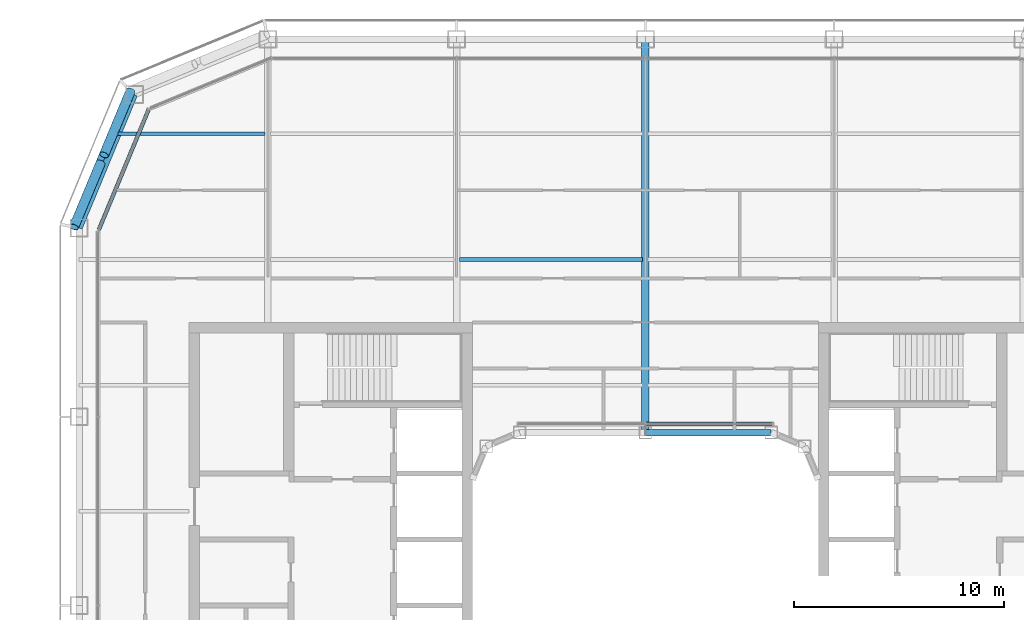
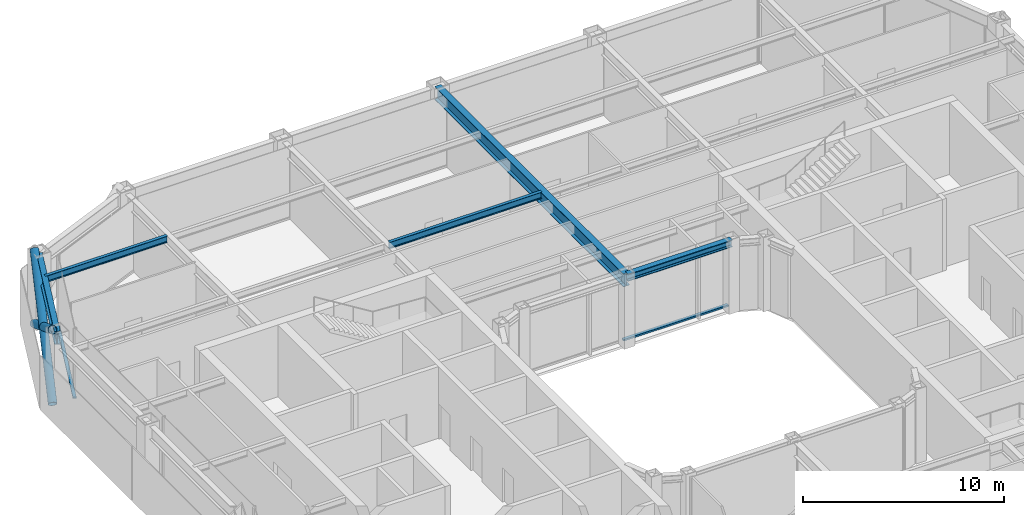
# One storey, part 7 of 23: 5 beams, 5 members, 2 elements without a shape of their own.
"""IFC4 building model written with IfcOpenShell, lengths in metres."""

from ifc_helpers import new_model, si_unit, direction, frame, origin, origin_2d, place, context, subcontext, project, spatial, rectangle, hollow_circle, i_section, extrude, material, layer, layer_set, material_profile, profile_set, type_object, element, aggregate, save


model = new_model("IFC4")

# Units and contexts
model_context = context("Model", 3, precision=1e-05, world=origin(), true_north=direction((0.0, 1.0)))
body_context = subcontext(model_context, "Body", "Model", "MODEL_VIEW")
ifc_project = project(units=[si_unit("LENGTHUNIT", "METRE"), si_unit("AREAUNIT", "SQUARE_METRE"), si_unit("VOLUMEUNIT", "CUBIC_METRE"), si_unit("PLANEANGLEUNIT", "RADIAN"), si_unit("MASSUNIT", "GRAM", prefix="KILO")], contexts=[model_context])

# Site, building, storey
site_placement = place(None, origin())
site = spatial("IfcSite", under=ifc_project, at=site_placement, CompositionType="ELEMENT")
building_placement = place(site_placement, origin())
building = spatial("IfcBuilding", under=site, at=building_placement, Name="Siwar Civic Tower", CompositionType="ELEMENT")
storey_placement = place(building_placement, frame((0.0, 0.0, 197.199951171875)))
storey = spatial("IfcBuildingStorey", under=building, at=storey_placement, Name="L42", CompositionType="ELEMENT", Elevation=197.199951171875)

# Curtain wall, member
ifc_material_1 = material(Name="Aluminium clad insulated panel", Category="aluminium")
ifc_layer_1 = layer(ifc_material_1, 0.179931640625)
ifc_layer_set_1 = layer_set([ifc_layer_1], Name="Aluminium clad insulated panel")
curtain_wall_type_1 = type_object("IfcCurtainWallType", Name="ENV-CW-CX", PredefinedType="NOTDEFINED", material=ifc_layer_set_1)
curtain_wall_1_placement = place(storey_placement, origin())
curtain_wall_1 = element("IfcCurtainWall", 1, at=curtain_wall_1_placement, inside=storey, type_object=curtain_wall_type_1, Name="Curtain wall C NW2", PredefinedType="NOTDEFINED")
ifc_material_2 = material(Name="Aluminium 6063-T6", Category="aluminium")
ifc_material_profile_1 = material_profile(ifc_material_2, rectangle(XDim=0.179931640625, YDim=0.10009765625, at=origin_2d()), Name="AL 180x100")
ifc_profile_set_1 = profile_set([ifc_material_profile_1], Name="Aluminium 6063-T6")
member_type_1 = type_object("IfcMemberType", Name="ENV-TRANSOM-C", PredefinedType="USERDEFINED", material=ifc_profile_set_1)
member_1_placement = place(storey_placement, frame((-23.6865234375, 23.6474609375, 0.050048828125), z_axis=(-0.382691366456, -0.923876246063, 0.0), x_axis=(0.923876246063, -0.382691366456, 0.0)))
member_1 = element("IfcMember", 2, at=member_1_placement, type_object=member_type_1, Name="Transom C NW2 1", ObjectType="TRANSOM", PredefinedType="USERDEFINED", context=body_context, shape_type="SweptSolid", body=[
    extrude(rectangle(XDim=0.179931640625, YDim=0.10009765625, at=origin_2d()), origin(), (0.0, 0.0, 1.0), 6.20166015625),
])
aggregate(curtain_wall_1, [member_1])

ifc_material_3 = material(Name="Aluminium and glass", Category="aluminium")
ifc_layer_2 = layer(ifc_material_3, 0.179931640625)
ifc_layer_set_2 = layer_set([ifc_layer_2], Name="Aluminium and glass")
curtain_wall_type_2 = type_object("IfcCurtainWallType", Name="ENV-CW-W", PredefinedType="NOTDEFINED", material=ifc_layer_set_2)
curtain_wall_2_placement = place(storey_placement, origin())
curtain_wall_2 = element("IfcCurtainWall", 3, at=curtain_wall_2_placement, inside=storey, type_object=curtain_wall_type_2, Name="Curtain wall W WN", PredefinedType="NOTDEFINED")
ifc_material_4 = material(Name="Aluminium 6063-T6", Category="aluminium")
ifc_material_profile_2 = material_profile(ifc_material_4, rectangle(XDim=0.179931640625, YDim=0.10009765625, at=origin_2d()), Name="AL 180x100")
ifc_profile_set_2 = profile_set([ifc_material_profile_2], Name="Aluminium 6063-T6")
member_type_2 = type_object("IfcMemberType", Name="ENV-TRANSOM-W", PredefinedType="USERDEFINED", material=ifc_profile_set_2)
member_2_placement = place(storey_placement, frame((6.051513671875, 8.659912109375, 0.050048828125), z_axis=(-1.0, 0.0, 0.0), x_axis=(0.0, -1.0, 0.0)))
member_2 = element("IfcMember", 4, at=member_2_placement, type_object=member_type_2, Name="Transom W WN 1", ObjectType="TRANSOM", PredefinedType="USERDEFINED", context=body_context, shape_type="SweptSolid", body=[
    extrude(rectangle(XDim=0.179931640625, YDim=0.10009765625, at=origin_2d()), origin(), (0.0, 0.0, 1.0), 6.021484375),
])
aggregate(curtain_wall_2, [member_2])

# Members
ifc_material_5 = material(Name="Steel S355", Category="steel")
ifc_material_profile_3 = material_profile(ifc_material_5, hollow_circle(Radius=0.228515625, WallThickness=0.02001953125, at=origin_2d()), Name="CHS457x20")
ifc_profile_set_3 = profile_set([ifc_material_profile_3], Name="Steel S355")
member_type_3 = type_object("IfcMemberType", Name="STR-BR-CHS457x20", PredefinedType="BRACE", material=ifc_profile_set_3)
member_3_placement = place(storey_placement, frame((-27.2451171875, 18.048828125, 0.0), z_axis=(0.323905527954, 0.777554562952, 0.538975055633), x_axis=(-0.923108759191, 0.384538969033, 0.0)))
element("IfcMember", 5, at=member_3_placement, inside=storey, type_object=member_type_3, Name="L42/brc/CNW1-2-0-1", PredefinedType="BRACE", context=body_context, shape_type="SweptSolid", body=[
    extrude(hollow_circle(Radius=0.228515625, WallThickness=0.02001953125, at=origin_2d()), origin(), (0.0, 0.0, 1.0), 8.34912109375),
])
for number, where, z_axis, x_axis, name in (
    (6, (-24.540771484375, 24.540771484375, 0.0), (-0.323884455881, -0.777546448489, 0.538999424564), (0.92311621485, -0.38452107079, 0.0), "L42/brc/CNW1-2-0-2"),
    (7, (-25.972900390625, 21.10302734375, 2.383056640625), (-0.323895306243, -0.777572496853, 0.538955325357), (0.92311621485, -0.38452107079, 0.0), "L42/brc/CNW1-2-0-3"),
):
    element("IfcMember", number, at=place(storey_placement, frame(where, z_axis=z_axis, x_axis=x_axis)), inside=storey, type_object=member_type_3, Name=name, PredefinedType="BRACE", context=body_context, shape_type="SweptSolid", body=[
        extrude(hollow_circle(Radius=0.228515625, WallThickness=0.02001953125, at=origin_2d()), origin(), (0.0, 0.0, 1.0), 3.927978515625),
    ])

# Beams
ifc_material_6 = material(Name="Steel S355", Category="steel")
ifc_material_profile_4 = material_profile(ifc_material_6, i_section(OverallWidth=0.179931640625, OverallDepth=0.39990234375, WebThickness=0.008544921875, FlangeThickness=0.013427734375, FilletRadius=0.02099609375, at=origin_2d()), Name="IPE400")
ifc_profile_set_4 = profile_set([ifc_material_profile_4], Name="Steel S355")
beam_type_1 = type_object("IfcBeamType", Name="STR-FB-IPE400", PredefinedType="JOIST", material=ifc_profile_set_4)
beam_1_placement = place(storey_placement, frame((-8.8701171875, 16.5, 4.150146484375), z_axis=(1.0, 0.0, 0.0), x_axis=(0.0, 1.0, 0.0)))
element("IfcBeam", 8, at=beam_1_placement, inside=storey, type_object=beam_type_1, Name="L42/bm/F033", PredefinedType="JOIST", context=body_context, shape_type="SweptSolid", body=[
    extrude(i_section(OverallWidth=0.179931640625, OverallDepth=0.39990234375, WebThickness=0.008544921875, FlangeThickness=0.013427734375, FilletRadius=0.02099609375, at=origin_2d()), origin(), (0.0, 0.0, 1.0), 8.740234375),
])
beam_2_placement = place(storey_placement, frame((-25.135986328125, 22.5, 4.150146484375), z_axis=(1.0, 0.0, 0.0), x_axis=(0.0, 1.0, 0.0)))
element("IfcBeam", 9, at=beam_2_placement, inside=storey, type_object=beam_type_1, Name="L42/bm/F037", PredefinedType="JOIST", context=body_context, shape_type="SweptSolid", body=[
    extrude(i_section(OverallWidth=0.179931640625, OverallDepth=0.39990234375, WebThickness=0.008544921875, FlangeThickness=0.013427734375, FilletRadius=0.02099609375, at=origin_2d()), origin(), (0.0, 0.0, 1.0), 7.006103515625),
])
ifc_material_7 = material(Name="Steel S355", Category="steel")
ifc_material_profile_5 = material_profile(ifc_material_7, i_section(OverallWidth=0.360107421875, OverallDepth=0.800048828125, WebThickness=0.013916015625, FlangeThickness=0.031982421875, at=origin_2d()), Name="PG800x360x14x32")
ifc_profile_set_5 = profile_set([ifc_material_profile_5], Name="Steel S355")
beam_type_2 = type_object("IfcBeamType", Name="STR-PG-PG800x360x14x32", PredefinedType="BEAM", material=ifc_profile_set_5)
beam_3_placement = place(storey_placement, frame((0.0, 8.25, 3.949951171875), z_axis=(0.0, 1.0, 0.0), x_axis=(-1.0, 0.0, 0.0)))
element("IfcBeam", 10, at=beam_3_placement, inside=storey, type_object=beam_type_2, Name="L42/bm/G06", PredefinedType="BEAM", context=body_context, shape_type="SweptSolid", body=[
    extrude(i_section(OverallWidth=0.360107421875, OverallDepth=0.800048828125, WebThickness=0.013916015625, FlangeThickness=0.031982421875, at=origin_2d()), origin(), (0.0, 0.0, 1.0), 18.75),
])
ifc_material_8 = material(Name="Steel S355", Category="steel")
ifc_material_profile_6 = material_profile(ifc_material_8, i_section(OverallWidth=0.306884765625, OverallDepth=0.431884765625, WebThickness=0.02099609375, FlangeThickness=0.0400390625, FilletRadius=0.027099609375, at=origin_2d()), Name="HEM400")
ifc_profile_set_6 = profile_set([ifc_material_profile_6], Name="Steel S355")
beam_type_3 = type_object("IfcBeamType", Name="STR-RB-HEM400", PredefinedType="BEAM", material=ifc_profile_set_6)
beam_4_placement = place(storey_placement, frame((0.0, 8.25, 4.134033203125), z_axis=(1.0, 0.0, 0.0), x_axis=(0.0, 1.0, 0.0)))
element("IfcBeam", 11, at=beam_4_placement, inside=storey, type_object=beam_type_3, Name="L42/bm/RN2", PredefinedType="BEAM", context=body_context, shape_type="SweptSolid", body=[
    extrude(i_section(OverallWidth=0.306884765625, OverallDepth=0.431884765625, WebThickness=0.02099609375, FlangeThickness=0.0400390625, FilletRadius=0.027099609375, at=origin_2d()), origin(), (0.0, 0.0, 1.0), 6.0),
])
ifc_material_9 = material(Name="Steel S355", Category="steel")
ifc_material_profile_7 = material_profile(ifc_material_9, i_section(OverallWidth=0.300048828125, OverallDepth=0.800048828125, WebThickness=0.017578125, FlangeThickness=0.032958984375, FilletRadius=0.030029296875, at=origin_2d()), Name="HEB800")
ifc_profile_set_7 = profile_set([ifc_material_profile_7], Name="Steel S355")
beam_type_4 = type_object("IfcBeamType", Name="STR-SB-HEB800", PredefinedType="BEAM", material=ifc_profile_set_7)
beam_5_placement = place(storey_placement, frame((-24.364013671875, 24.364013671875, 3.949951171875), z_axis=(-0.382674207535, -0.923883353507, 0.0), x_axis=(0.923883353507, -0.382674207535, 0.0)))
element("IfcBeam", 12, at=beam_5_placement, inside=storey, type_object=beam_type_4, Name="L42/bm/SNW2-0", PredefinedType="BEAM", context=body_context, shape_type="SweptSolid", body=[
    extrude(i_section(OverallWidth=0.300048828125, OverallDepth=0.800048828125, WebThickness=0.017578125, FlangeThickness=0.032958984375, FilletRadius=0.030029296875, at=origin_2d()), origin(), (0.0, 0.0, 1.0), 6.888427734375),
])

save(model, "model.ifc")
